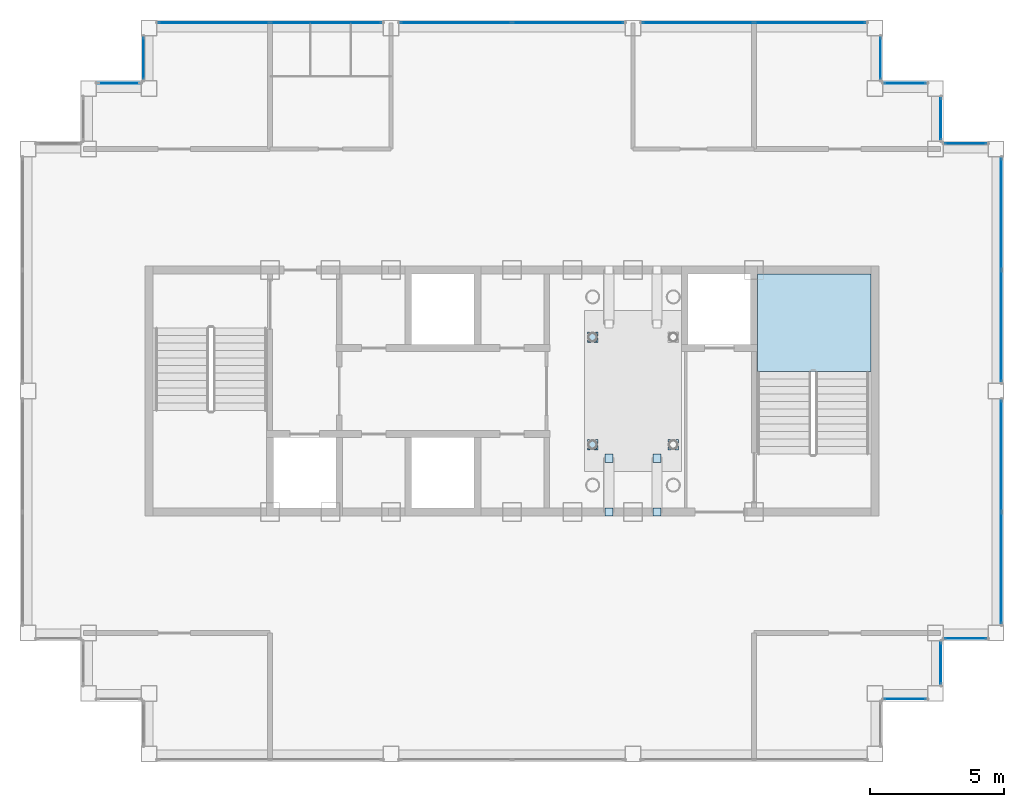
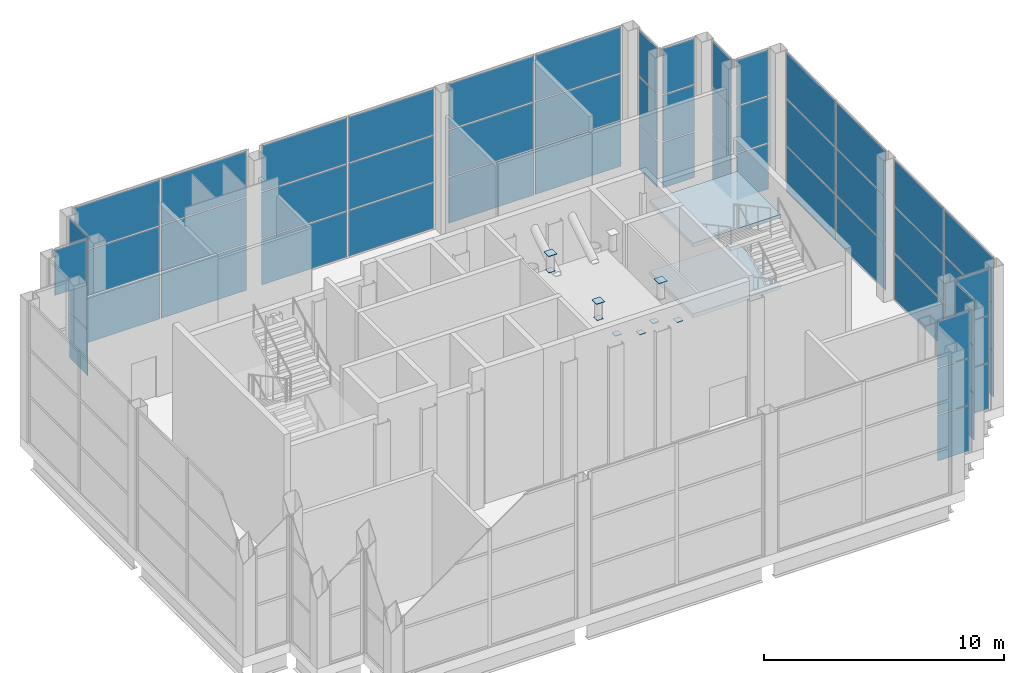
# One storey, part 8 of 15: 64 plates, 2 slabs, 15 elements without a shape of their own.
"""IFC4 building model written with IfcOpenShell, lengths in metres."""

from ifc_helpers import new_model, si_unit, direction, frame, origin, origin_2d, place, context, subcontext, project, spatial, polyline, rectangle, outline, extrude, material, layer, layer_set, type_object, element, aggregate, save


model = new_model("IFC4")

# Units and contexts
model_context = context("Model", 3, precision=1e-05, world=origin(), true_north=direction((0.0, 1.0)))
body_context = subcontext(model_context, "Body", "Model", "MODEL_VIEW")
ifc_project = project(units=[si_unit("LENGTHUNIT", "METRE"), si_unit("AREAUNIT", "SQUARE_METRE"), si_unit("VOLUMEUNIT", "CUBIC_METRE"), si_unit("PLANEANGLEUNIT", "RADIAN"), si_unit("MASSUNIT", "GRAM", prefix="KILO")], contexts=[model_context])

# Site, building, storey
site_placement = place(None, origin())
site = spatial("IfcSite", under=ifc_project, at=site_placement, CompositionType="ELEMENT")
building_placement = place(site_placement, origin())
building = spatial("IfcBuilding", under=site, at=building_placement, Name="Caravel Reach Hotel and Residences", CompositionType="ELEMENT")
storey_placement = place(building_placement, frame((0.0, 0.0, 305.60009765625)))
storey = spatial("IfcBuildingStorey", under=building, at=storey_placement, Name="L78", CompositionType="ELEMENT", Elevation=305.60009765625)

# Curtain wall, plates
ifc_material_1 = material(Name="Dark low-e glazing in black aluminium frame", Category="aluminium")
ifc_layer_1 = layer(ifc_material_1, 0.199951171875)
ifc_layer_set_1 = layer_set([ifc_layer_1], Name="CW3 Damper floor glass wall")
curtain_wall_type = type_object("IfcCurtainWallType", Name="CW3 Damper floor glass wall", PredefinedType="NOTDEFINED", material=ifc_layer_set_1)
curtain_wall_1_placement = place(storey_placement, origin())
curtain_wall_1 = element("IfcCurtainWall", 1, at=curtain_wall_1_placement, inside=storey, type_object=curtain_wall_type, Name="Damper floor glass wall b0", PredefinedType="NOTDEFINED")
ifc_material_2 = material(Name="Dark laminated low-e glass", Category="glass")
ifc_layer_2 = layer(ifc_material_2, 0.02392578125)
ifc_layer_set_2 = layer_set([ifc_layer_2], Name="CW glass panel 24")
plate_type_1 = type_object("IfcPlateType", Name="CW glass panel 24", PredefinedType="CURTAIN_PANEL", material=ifc_layer_set_2)
plate_1_placement = place(storey_placement, frame((46.125, 15.550048828125, 0.059814453125), z_axis=(0.0, 0.0, 1.0), x_axis=(1.0, 0.0, 0.0)))
plate_1 = element("IfcPlate", 2, at=plate_1_placement, type_object=plate_type_1, Name="CW3 panel 1.1", PredefinedType="CURTAIN_PANEL", context=body_context, shape_type="SweptSolid", body=[
    extrude(rectangle(XDim=1.530029296875, YDim=0.02392578125, at=origin_2d()), origin(), (0.0, 0.0, 1.0), 2.31005859375),
])
plate_2_placement = place(storey_placement, frame((46.125, 15.550048828125, 2.4296875), z_axis=(0.0, 0.0, 1.0), x_axis=(1.0, 0.0, 0.0)))
plate_2 = element("IfcPlate", 3, at=plate_2_placement, type_object=plate_type_1, Name="CW3 panel 1.2", PredefinedType="CURTAIN_PANEL", context=body_context, shape_type="SweptSolid", body=[
    extrude(rectangle(XDim=1.530029296875, YDim=0.02392578125, at=origin_2d()), origin(), (0.0, 0.0, 1.0), 2.340087890625),
])
plate_3_placement = place(storey_placement, frame((46.125, 15.550048828125, 4.829833984375), z_axis=(0.0, 0.0, 1.0), x_axis=(1.0, 0.0, 0.0)))
plate_3 = element("IfcPlate", 4, at=plate_3_placement, type_object=plate_type_1, Name="CW3 panel 1.3", PredefinedType="CURTAIN_PANEL", context=body_context, shape_type="SweptSolid", body=[
    extrude(rectangle(XDim=1.530029296875, YDim=0.02392578125, at=origin_2d()), origin(), (0.0, 0.0, 1.0), 2.31005859375),
])
aggregate(curtain_wall_1, [plate_1, plate_2, plate_3])

curtain_wall_2_placement = place(storey_placement, origin())
curtain_wall_2 = element("IfcCurtainWall", 5, at=curtain_wall_2_placement, inside=storey, type_object=curtain_wall_type, Name="Damper floor glass wall b0", PredefinedType="NOTDEFINED")
plate_4_placement = place(storey_placement, frame((47.449951171875, 16.875, 0.059814453125), z_axis=(0.0, 0.0, 1.0), x_axis=(0.0, 1.0, 0.0)))
plate_4 = element("IfcPlate", 6, at=plate_4_placement, type_object=plate_type_1, Name="CW3 panel 1.1", PredefinedType="CURTAIN_PANEL", context=body_context, shape_type="SweptSolid", body=[
    extrude(rectangle(XDim=1.530029296875, YDim=0.02392578125, at=origin_2d()), origin(), (0.0, 0.0, 1.0), 2.31005859375),
])
plate_5_placement = place(storey_placement, frame((47.449951171875, 16.875, 2.4296875), z_axis=(0.0, 0.0, 1.0), x_axis=(0.0, 1.0, 0.0)))
plate_5 = element("IfcPlate", 7, at=plate_5_placement, type_object=plate_type_1, Name="CW3 panel 1.2", PredefinedType="CURTAIN_PANEL", context=body_context, shape_type="SweptSolid", body=[
    extrude(rectangle(XDim=1.530029296875, YDim=0.02392578125, at=origin_2d()), origin(), (0.0, 0.0, 1.0), 2.340087890625),
])
plate_6_placement = place(storey_placement, frame((47.449951171875, 16.875, 4.829833984375), z_axis=(0.0, 0.0, 1.0), x_axis=(0.0, 1.0, 0.0)))
plate_6 = element("IfcPlate", 8, at=plate_6_placement, type_object=plate_type_1, Name="CW3 panel 1.3", PredefinedType="CURTAIN_PANEL", context=body_context, shape_type="SweptSolid", body=[
    extrude(rectangle(XDim=1.530029296875, YDim=0.02392578125, at=origin_2d()), origin(), (0.0, 0.0, 1.0), 2.31005859375),
])
aggregate(curtain_wall_2, [plate_4, plate_5, plate_6])

curtain_wall_3_placement = place(storey_placement, origin())
curtain_wall_3 = element("IfcCurtainWall", 9, at=curtain_wall_3_placement, inside=storey, type_object=curtain_wall_type, Name="Damper floor glass wall b0", PredefinedType="NOTDEFINED")
plate_7_placement = place(storey_placement, frame((48.375, 17.800048828125, 0.059814453125), z_axis=(0.0, 0.0, 1.0), x_axis=(1.0, 0.0, 0.0)))
plate_7 = element("IfcPlate", 10, at=plate_7_placement, type_object=plate_type_1, Name="CW3 panel 1.1", PredefinedType="CURTAIN_PANEL", context=body_context, shape_type="SweptSolid", body=[
    extrude(rectangle(XDim=1.530029296875, YDim=0.02392578125, at=origin_2d()), origin(), (0.0, 0.0, 1.0), 2.31005859375),
])
plate_8_placement = place(storey_placement, frame((48.375, 17.800048828125, 2.4296875), z_axis=(0.0, 0.0, 1.0), x_axis=(1.0, 0.0, 0.0)))
plate_8 = element("IfcPlate", 11, at=plate_8_placement, type_object=plate_type_1, Name="CW3 panel 1.2", PredefinedType="CURTAIN_PANEL", context=body_context, shape_type="SweptSolid", body=[
    extrude(rectangle(XDim=1.530029296875, YDim=0.02392578125, at=origin_2d()), origin(), (0.0, 0.0, 1.0), 2.340087890625),
])
plate_9_placement = place(storey_placement, frame((48.375, 17.800048828125, 4.829833984375), z_axis=(0.0, 0.0, 1.0), x_axis=(1.0, 0.0, 0.0)))
plate_9 = element("IfcPlate", 12, at=plate_9_placement, type_object=plate_type_1, Name="CW3 panel 1.3", PredefinedType="CURTAIN_PANEL", context=body_context, shape_type="SweptSolid", body=[
    extrude(rectangle(XDim=1.530029296875, YDim=0.02392578125, at=origin_2d()), origin(), (0.0, 0.0, 1.0), 2.31005859375),
])
aggregate(curtain_wall_3, [plate_7, plate_8, plate_9])

curtain_wall_4_placement = place(storey_placement, origin())
curtain_wall_4 = element("IfcCurtainWall", 13, at=curtain_wall_4_placement, inside=storey, type_object=curtain_wall_type, Name="Damper floor glass wall b0", PredefinedType="NOTDEFINED")
plate_10_placement = place(storey_placement, frame((49.699951171875, 20.4150390625, 0.059814453125), z_axis=(0.0, 0.0, 1.0), x_axis=(0.0, 1.0, 0.0)))
plate_10 = element("IfcPlate", 14, at=plate_10_placement, type_object=plate_type_1, Name="CW3 panel 1.1", PredefinedType="CURTAIN_PANEL", context=body_context, shape_type="SweptSolid", body=[
    extrude(rectangle(XDim=4.110107421875, YDim=0.02392578125, at=origin_2d()), origin(), (0.0, 0.0, 1.0), 2.31005859375),
])
plate_11_placement = place(storey_placement, frame((49.699951171875, 20.4150390625, 2.4296875), z_axis=(0.0, 0.0, 1.0), x_axis=(0.0, 1.0, 0.0)))
plate_11 = element("IfcPlate", 15, at=plate_11_placement, type_object=plate_type_1, Name="CW3 panel 1.2", PredefinedType="CURTAIN_PANEL", context=body_context, shape_type="SweptSolid", body=[
    extrude(rectangle(XDim=4.110107421875, YDim=0.02392578125, at=origin_2d()), origin(), (0.0, 0.0, 1.0), 2.340087890625),
])
plate_12_placement = place(storey_placement, frame((49.699951171875, 20.4150390625, 4.829833984375), z_axis=(0.0, 0.0, 1.0), x_axis=(0.0, 1.0, 0.0)))
plate_12 = element("IfcPlate", 16, at=plate_12_placement, type_object=plate_type_1, Name="CW3 panel 1.3", PredefinedType="CURTAIN_PANEL", context=body_context, shape_type="SweptSolid", body=[
    extrude(rectangle(XDim=4.110107421875, YDim=0.02392578125, at=origin_2d()), origin(), (0.0, 0.0, 1.0), 2.31005859375),
])
plate_13_placement = place(storey_placement, frame((49.699951171875, 24.5849609375, 0.059814453125), z_axis=(0.0, 0.0, 1.0), x_axis=(0.0, 1.0, 0.0)))
plate_13 = element("IfcPlate", 17, at=plate_13_placement, type_object=plate_type_1, Name="CW3 panel 2.1", PredefinedType="CURTAIN_PANEL", context=body_context, shape_type="SweptSolid", body=[
    extrude(rectangle(XDim=4.110107421875, YDim=0.02392578125, at=origin_2d()), origin(), (0.0, 0.0, 1.0), 2.31005859375),
])
plate_14_placement = place(storey_placement, frame((49.699951171875, 24.5849609375, 2.4296875), z_axis=(0.0, 0.0, 1.0), x_axis=(0.0, 1.0, 0.0)))
plate_14 = element("IfcPlate", 18, at=plate_14_placement, type_object=plate_type_1, Name="CW3 panel 2.2", PredefinedType="CURTAIN_PANEL", context=body_context, shape_type="SweptSolid", body=[
    extrude(rectangle(XDim=4.110107421875, YDim=0.02392578125, at=origin_2d()), origin(), (0.0, 0.0, 1.0), 2.340087890625),
])
plate_15_placement = place(storey_placement, frame((49.699951171875, 24.5849609375, 4.829833984375), z_axis=(0.0, 0.0, 1.0), x_axis=(0.0, 1.0, 0.0)))
plate_15 = element("IfcPlate", 19, at=plate_15_placement, type_object=plate_type_1, Name="CW3 panel 2.3", PredefinedType="CURTAIN_PANEL", context=body_context, shape_type="SweptSolid", body=[
    extrude(rectangle(XDim=4.110107421875, YDim=0.02392578125, at=origin_2d()), origin(), (0.0, 0.0, 1.0), 2.31005859375),
])
aggregate(curtain_wall_4, [plate_10, plate_11, plate_12, plate_13, plate_14, plate_15])

curtain_wall_5_placement = place(storey_placement, origin())
curtain_wall_5 = element("IfcCurtainWall", 20, at=curtain_wall_5_placement, inside=storey, type_object=curtain_wall_type, Name="Damper floor glass wall b1", PredefinedType="NOTDEFINED")
plate_16_placement = place(storey_placement, frame((49.699951171875, 29.4150390625, 0.059814453125), z_axis=(0.0, 0.0, 1.0), x_axis=(0.0, 1.0, 0.0)))
plate_16 = element("IfcPlate", 21, at=plate_16_placement, type_object=plate_type_1, Name="CW3 panel 1.1", PredefinedType="CURTAIN_PANEL", context=body_context, shape_type="SweptSolid", body=[
    extrude(rectangle(XDim=4.110107421875, YDim=0.02392578125, at=origin_2d()), origin(), (0.0, 0.0, 1.0), 2.31005859375),
])
plate_17_placement = place(storey_placement, frame((49.699951171875, 29.4150390625, 2.4296875), z_axis=(0.0, 0.0, 1.0), x_axis=(0.0, 1.0, 0.0)))
plate_17 = element("IfcPlate", 22, at=plate_17_placement, type_object=plate_type_1, Name="CW3 panel 1.2", PredefinedType="CURTAIN_PANEL", context=body_context, shape_type="SweptSolid", body=[
    extrude(rectangle(XDim=4.110107421875, YDim=0.02392578125, at=origin_2d()), origin(), (0.0, 0.0, 1.0), 2.340087890625),
])
plate_18_placement = place(storey_placement, frame((49.699951171875, 29.4150390625, 4.829833984375), z_axis=(0.0, 0.0, 1.0), x_axis=(0.0, 1.0, 0.0)))
plate_18 = element("IfcPlate", 23, at=plate_18_placement, type_object=plate_type_1, Name="CW3 panel 1.3", PredefinedType="CURTAIN_PANEL", context=body_context, shape_type="SweptSolid", body=[
    extrude(rectangle(XDim=4.110107421875, YDim=0.02392578125, at=origin_2d()), origin(), (0.0, 0.0, 1.0), 2.31005859375),
])
plate_19_placement = place(storey_placement, frame((49.699951171875, 33.5849609375, 0.059814453125), z_axis=(0.0, 0.0, 1.0), x_axis=(0.0, 1.0, 0.0)))
plate_19 = element("IfcPlate", 24, at=plate_19_placement, type_object=plate_type_1, Name="CW3 panel 2.1", PredefinedType="CURTAIN_PANEL", context=body_context, shape_type="SweptSolid", body=[
    extrude(rectangle(XDim=4.110107421875, YDim=0.02392578125, at=origin_2d()), origin(), (0.0, 0.0, 1.0), 2.31005859375),
])
plate_20_placement = place(storey_placement, frame((49.699951171875, 33.5849609375, 2.4296875), z_axis=(0.0, 0.0, 1.0), x_axis=(0.0, 1.0, 0.0)))
plate_20 = element("IfcPlate", 25, at=plate_20_placement, type_object=plate_type_1, Name="CW3 panel 2.2", PredefinedType="CURTAIN_PANEL", context=body_context, shape_type="SweptSolid", body=[
    extrude(rectangle(XDim=4.110107421875, YDim=0.02392578125, at=origin_2d()), origin(), (0.0, 0.0, 1.0), 2.340087890625),
])
plate_21_placement = place(storey_placement, frame((49.699951171875, 33.5849609375, 4.829833984375), z_axis=(0.0, 0.0, 1.0), x_axis=(0.0, 1.0, 0.0)))
plate_21 = element("IfcPlate", 26, at=plate_21_placement, type_object=plate_type_1, Name="CW3 panel 2.3", PredefinedType="CURTAIN_PANEL", context=body_context, shape_type="SweptSolid", body=[
    extrude(rectangle(XDim=4.110107421875, YDim=0.02392578125, at=origin_2d()), origin(), (0.0, 0.0, 1.0), 2.31005859375),
])
aggregate(curtain_wall_5, [plate_16, plate_17, plate_18, plate_19, plate_20, plate_21])

curtain_wall_6_placement = place(storey_placement, origin())
curtain_wall_6 = element("IfcCurtainWall", 27, at=curtain_wall_6_placement, inside=storey, type_object=curtain_wall_type, Name="Damper floor glass wall b0", PredefinedType="NOTDEFINED")
plate_22_placement = place(storey_placement, frame((48.375, 36.199951171875, 0.059814453125), z_axis=(0.0, 0.0, 1.0), x_axis=(-1.0, 0.0, 0.0)))
plate_22 = element("IfcPlate", 28, at=plate_22_placement, type_object=plate_type_1, Name="CW3 panel 1.1", PredefinedType="CURTAIN_PANEL", context=body_context, shape_type="SweptSolid", body=[
    extrude(rectangle(XDim=1.530029296875, YDim=0.02392578125, at=origin_2d()), origin(), (0.0, 0.0, 1.0), 2.31005859375),
])
plate_23_placement = place(storey_placement, frame((48.375, 36.199951171875, 2.4296875), z_axis=(0.0, 0.0, 1.0), x_axis=(-1.0, 0.0, 0.0)))
plate_23 = element("IfcPlate", 29, at=plate_23_placement, type_object=plate_type_1, Name="CW3 panel 1.2", PredefinedType="CURTAIN_PANEL", context=body_context, shape_type="SweptSolid", body=[
    extrude(rectangle(XDim=1.530029296875, YDim=0.02392578125, at=origin_2d()), origin(), (0.0, 0.0, 1.0), 2.340087890625),
])
plate_24_placement = place(storey_placement, frame((48.375, 36.199951171875, 4.829833984375), z_axis=(0.0, 0.0, 1.0), x_axis=(-1.0, 0.0, 0.0)))
plate_24 = element("IfcPlate", 30, at=plate_24_placement, type_object=plate_type_1, Name="CW3 panel 1.3", PredefinedType="CURTAIN_PANEL", context=body_context, shape_type="SweptSolid", body=[
    extrude(rectangle(XDim=1.530029296875, YDim=0.02392578125, at=origin_2d()), origin(), (0.0, 0.0, 1.0), 2.31005859375),
])
aggregate(curtain_wall_6, [plate_22, plate_23, plate_24])

curtain_wall_7_placement = place(storey_placement, origin())
curtain_wall_7 = element("IfcCurtainWall", 31, at=curtain_wall_7_placement, inside=storey, type_object=curtain_wall_type, Name="Damper floor glass wall b0", PredefinedType="NOTDEFINED")
plate_25_placement = place(storey_placement, frame((47.449951171875, 37.125, 0.059814453125), z_axis=(0.0, 0.0, 1.0), x_axis=(0.0, 1.0, 0.0)))
plate_25 = element("IfcPlate", 32, at=plate_25_placement, type_object=plate_type_1, Name="CW3 panel 1.1", PredefinedType="CURTAIN_PANEL", context=body_context, shape_type="SweptSolid", body=[
    extrude(rectangle(XDim=1.530029296875, YDim=0.02392578125, at=origin_2d()), origin(), (0.0, 0.0, 1.0), 2.31005859375),
])
plate_26_placement = place(storey_placement, frame((47.449951171875, 37.125, 2.4296875), z_axis=(0.0, 0.0, 1.0), x_axis=(0.0, 1.0, 0.0)))
plate_26 = element("IfcPlate", 33, at=plate_26_placement, type_object=plate_type_1, Name="CW3 panel 1.2", PredefinedType="CURTAIN_PANEL", context=body_context, shape_type="SweptSolid", body=[
    extrude(rectangle(XDim=1.530029296875, YDim=0.02392578125, at=origin_2d()), origin(), (0.0, 0.0, 1.0), 2.340087890625),
])
plate_27_placement = place(storey_placement, frame((47.449951171875, 37.125, 4.829833984375), z_axis=(0.0, 0.0, 1.0), x_axis=(0.0, 1.0, 0.0)))
plate_27 = element("IfcPlate", 34, at=plate_27_placement, type_object=plate_type_1, Name="CW3 panel 1.3", PredefinedType="CURTAIN_PANEL", context=body_context, shape_type="SweptSolid", body=[
    extrude(rectangle(XDim=1.530029296875, YDim=0.02392578125, at=origin_2d()), origin(), (0.0, 0.0, 1.0), 2.31005859375),
])
aggregate(curtain_wall_7, [plate_25, plate_26, plate_27])

curtain_wall_8_placement = place(storey_placement, origin())
curtain_wall_8 = element("IfcCurtainWall", 35, at=curtain_wall_8_placement, inside=storey, type_object=curtain_wall_type, Name="Damper floor glass wall b0", PredefinedType="NOTDEFINED")
plate_28_placement = place(storey_placement, frame((46.125, 38.449951171875, 0.059814453125), z_axis=(0.0, 0.0, 1.0), x_axis=(-1.0, 0.0, 0.0)))
plate_28 = element("IfcPlate", 36, at=plate_28_placement, type_object=plate_type_1, Name="CW3 panel 1.1", PredefinedType="CURTAIN_PANEL", context=body_context, shape_type="SweptSolid", body=[
    extrude(rectangle(XDim=1.530029296875, YDim=0.02392578125, at=origin_2d()), origin(), (0.0, 0.0, 1.0), 2.31005859375),
])
plate_29_placement = place(storey_placement, frame((46.125, 38.449951171875, 2.4296875), z_axis=(0.0, 0.0, 1.0), x_axis=(-1.0, 0.0, 0.0)))
plate_29 = element("IfcPlate", 37, at=plate_29_placement, type_object=plate_type_1, Name="CW3 panel 1.2", PredefinedType="CURTAIN_PANEL", context=body_context, shape_type="SweptSolid", body=[
    extrude(rectangle(XDim=1.530029296875, YDim=0.02392578125, at=origin_2d()), origin(), (0.0, 0.0, 1.0), 2.340087890625),
])
plate_30_placement = place(storey_placement, frame((46.125, 38.449951171875, 4.829833984375), z_axis=(0.0, 0.0, 1.0), x_axis=(-1.0, 0.0, 0.0)))
plate_30 = element("IfcPlate", 38, at=plate_30_placement, type_object=plate_type_1, Name="CW3 panel 1.3", PredefinedType="CURTAIN_PANEL", context=body_context, shape_type="SweptSolid", body=[
    extrude(rectangle(XDim=1.530029296875, YDim=0.02392578125, at=origin_2d()), origin(), (0.0, 0.0, 1.0), 2.31005859375),
])
aggregate(curtain_wall_8, [plate_28, plate_29, plate_30])

curtain_wall_9_placement = place(storey_placement, origin())
curtain_wall_9 = element("IfcCurtainWall", 39, at=curtain_wall_9_placement, inside=storey, type_object=curtain_wall_type, Name="Damper floor glass wall b0", PredefinedType="NOTDEFINED")
plate_31_placement = place(storey_placement, frame((45.199951171875, 39.375, 0.059814453125), z_axis=(0.0, 0.0, 1.0), x_axis=(0.0, 1.0, 0.0)))
plate_31 = element("IfcPlate", 40, at=plate_31_placement, type_object=plate_type_1, Name="CW3 panel 1.1", PredefinedType="CURTAIN_PANEL", context=body_context, shape_type="SweptSolid", body=[
    extrude(rectangle(XDim=1.530029296875, YDim=0.02392578125, at=origin_2d()), origin(), (0.0, 0.0, 1.0), 2.31005859375),
])
plate_32_placement = place(storey_placement, frame((45.199951171875, 39.375, 2.4296875), z_axis=(0.0, 0.0, 1.0), x_axis=(0.0, 1.0, 0.0)))
plate_32 = element("IfcPlate", 41, at=plate_32_placement, type_object=plate_type_1, Name="CW3 panel 1.2", PredefinedType="CURTAIN_PANEL", context=body_context, shape_type="SweptSolid", body=[
    extrude(rectangle(XDim=1.530029296875, YDim=0.02392578125, at=origin_2d()), origin(), (0.0, 0.0, 1.0), 2.340087890625),
])
plate_33_placement = place(storey_placement, frame((45.199951171875, 39.375, 4.829833984375), z_axis=(0.0, 0.0, 1.0), x_axis=(0.0, 1.0, 0.0)))
plate_33 = element("IfcPlate", 42, at=plate_33_placement, type_object=plate_type_1, Name="CW3 panel 1.3", PredefinedType="CURTAIN_PANEL", context=body_context, shape_type="SweptSolid", body=[
    extrude(rectangle(XDim=1.530029296875, YDim=0.02392578125, at=origin_2d()), origin(), (0.0, 0.0, 1.0), 2.31005859375),
])
aggregate(curtain_wall_9, [plate_31, plate_32, plate_33])

curtain_wall_10_placement = place(storey_placement, origin())
curtain_wall_10 = element("IfcCurtainWall", 43, at=curtain_wall_10_placement, inside=storey, type_object=curtain_wall_type, Name="Damper floor glass wall b0", PredefinedType="NOTDEFINED")
plate_34_placement = place(storey_placement, frame((42.5849609375, 40.699951171875, 0.059814453125), z_axis=(0.0, 0.0, 1.0), x_axis=(-1.0, 0.0, 0.0)))
plate_34 = element("IfcPlate", 44, at=plate_34_placement, type_object=plate_type_1, Name="CW3 panel 1.1", PredefinedType="CURTAIN_PANEL", context=body_context, shape_type="SweptSolid", body=[
    extrude(rectangle(XDim=4.110107421875, YDim=0.02392578125, at=origin_2d()), origin(), (0.0, 0.0, 1.0), 2.31005859375),
])
plate_35_placement = place(storey_placement, frame((42.5849609375, 40.699951171875, 2.4296875), z_axis=(0.0, 0.0, 1.0), x_axis=(-1.0, 0.0, 0.0)))
plate_35 = element("IfcPlate", 45, at=plate_35_placement, type_object=plate_type_1, Name="CW3 panel 1.2", PredefinedType="CURTAIN_PANEL", context=body_context, shape_type="SweptSolid", body=[
    extrude(rectangle(XDim=4.110107421875, YDim=0.02392578125, at=origin_2d()), origin(), (0.0, 0.0, 1.0), 2.340087890625),
])
plate_36_placement = place(storey_placement, frame((42.5849609375, 40.699951171875, 4.829833984375), z_axis=(0.0, 0.0, 1.0), x_axis=(-1.0, 0.0, 0.0)))
plate_36 = element("IfcPlate", 46, at=plate_36_placement, type_object=plate_type_1, Name="CW3 panel 1.3", PredefinedType="CURTAIN_PANEL", context=body_context, shape_type="SweptSolid", body=[
    extrude(rectangle(XDim=4.110107421875, YDim=0.02392578125, at=origin_2d()), origin(), (0.0, 0.0, 1.0), 2.31005859375),
])
plate_37_placement = place(storey_placement, frame((38.4150390625, 40.699951171875, 0.059814453125), z_axis=(0.0, 0.0, 1.0), x_axis=(-1.0, 0.0, 0.0)))
plate_37 = element("IfcPlate", 47, at=plate_37_placement, type_object=plate_type_1, Name="CW3 panel 2.1", PredefinedType="CURTAIN_PANEL", context=body_context, shape_type="SweptSolid", body=[
    extrude(rectangle(XDim=4.110107421875, YDim=0.02392578125, at=origin_2d()), origin(), (0.0, 0.0, 1.0), 2.31005859375),
])
plate_38_placement = place(storey_placement, frame((38.4150390625, 40.699951171875, 2.4296875), z_axis=(0.0, 0.0, 1.0), x_axis=(-1.0, 0.0, 0.0)))
plate_38 = element("IfcPlate", 48, at=plate_38_placement, type_object=plate_type_1, Name="CW3 panel 2.2", PredefinedType="CURTAIN_PANEL", context=body_context, shape_type="SweptSolid", body=[
    extrude(rectangle(XDim=4.110107421875, YDim=0.02392578125, at=origin_2d()), origin(), (0.0, 0.0, 1.0), 2.340087890625),
])
plate_39_placement = place(storey_placement, frame((38.4150390625, 40.699951171875, 4.829833984375), z_axis=(0.0, 0.0, 1.0), x_axis=(-1.0, 0.0, 0.0)))
plate_39 = element("IfcPlate", 49, at=plate_39_placement, type_object=plate_type_1, Name="CW3 panel 2.3", PredefinedType="CURTAIN_PANEL", context=body_context, shape_type="SweptSolid", body=[
    extrude(rectangle(XDim=4.110107421875, YDim=0.02392578125, at=origin_2d()), origin(), (0.0, 0.0, 1.0), 2.31005859375),
])
aggregate(curtain_wall_10, [plate_34, plate_35, plate_36, plate_37, plate_38, plate_39])

curtain_wall_11_placement = place(storey_placement, origin())
curtain_wall_11 = element("IfcCurtainWall", 50, at=curtain_wall_11_placement, inside=storey, type_object=curtain_wall_type, Name="Damper floor glass wall b1", PredefinedType="NOTDEFINED")
plate_40_placement = place(storey_placement, frame((33.5849609375, 40.699951171875, 0.059814453125), z_axis=(0.0, 0.0, 1.0), x_axis=(-1.0, 0.0, 0.0)))
plate_40 = element("IfcPlate", 51, at=plate_40_placement, type_object=plate_type_1, Name="CW3 panel 1.1", PredefinedType="CURTAIN_PANEL", context=body_context, shape_type="SweptSolid", body=[
    extrude(rectangle(XDim=4.110107421875, YDim=0.02392578125, at=origin_2d()), origin(), (0.0, 0.0, 1.0), 2.31005859375),
])
plate_41_placement = place(storey_placement, frame((33.5849609375, 40.699951171875, 2.4296875), z_axis=(0.0, 0.0, 1.0), x_axis=(-1.0, 0.0, 0.0)))
plate_41 = element("IfcPlate", 52, at=plate_41_placement, type_object=plate_type_1, Name="CW3 panel 1.2", PredefinedType="CURTAIN_PANEL", context=body_context, shape_type="SweptSolid", body=[
    extrude(rectangle(XDim=4.110107421875, YDim=0.02392578125, at=origin_2d()), origin(), (0.0, 0.0, 1.0), 2.340087890625),
])
plate_42_placement = place(storey_placement, frame((33.5849609375, 40.699951171875, 4.829833984375), z_axis=(0.0, 0.0, 1.0), x_axis=(-1.0, 0.0, 0.0)))
plate_42 = element("IfcPlate", 53, at=plate_42_placement, type_object=plate_type_1, Name="CW3 panel 1.3", PredefinedType="CURTAIN_PANEL", context=body_context, shape_type="SweptSolid", body=[
    extrude(rectangle(XDim=4.110107421875, YDim=0.02392578125, at=origin_2d()), origin(), (0.0, 0.0, 1.0), 2.31005859375),
])
plate_43_placement = place(storey_placement, frame((29.4150390625, 40.699951171875, 0.059814453125), z_axis=(0.0, 0.0, 1.0), x_axis=(-1.0, 0.0, 0.0)))
plate_43 = element("IfcPlate", 54, at=plate_43_placement, type_object=plate_type_1, Name="CW3 panel 2.1", PredefinedType="CURTAIN_PANEL", context=body_context, shape_type="SweptSolid", body=[
    extrude(rectangle(XDim=4.110107421875, YDim=0.02392578125, at=origin_2d()), origin(), (0.0, 0.0, 1.0), 2.31005859375),
])
plate_44_placement = place(storey_placement, frame((29.4150390625, 40.699951171875, 2.4296875), z_axis=(0.0, 0.0, 1.0), x_axis=(-1.0, 0.0, 0.0)))
plate_44 = element("IfcPlate", 55, at=plate_44_placement, type_object=plate_type_1, Name="CW3 panel 2.2", PredefinedType="CURTAIN_PANEL", context=body_context, shape_type="SweptSolid", body=[
    extrude(rectangle(XDim=4.110107421875, YDim=0.02392578125, at=origin_2d()), origin(), (0.0, 0.0, 1.0), 2.340087890625),
])
plate_45_placement = place(storey_placement, frame((29.4150390625, 40.699951171875, 4.829833984375), z_axis=(0.0, 0.0, 1.0), x_axis=(-1.0, 0.0, 0.0)))
plate_45 = element("IfcPlate", 56, at=plate_45_placement, type_object=plate_type_1, Name="CW3 panel 2.3", PredefinedType="CURTAIN_PANEL", context=body_context, shape_type="SweptSolid", body=[
    extrude(rectangle(XDim=4.110107421875, YDim=0.02392578125, at=origin_2d()), origin(), (0.0, 0.0, 1.0), 2.31005859375),
])
aggregate(curtain_wall_11, [plate_40, plate_41, plate_42, plate_43, plate_44, plate_45])

curtain_wall_12_placement = place(storey_placement, origin())
curtain_wall_12 = element("IfcCurtainWall", 57, at=curtain_wall_12_placement, inside=storey, type_object=curtain_wall_type, Name="Damper floor glass wall b2", PredefinedType="NOTDEFINED")
plate_46_placement = place(storey_placement, frame((24.5849609375, 40.699951171875, 0.059814453125), z_axis=(0.0, 0.0, 1.0), x_axis=(-1.0, 0.0, 0.0)))
plate_46 = element("IfcPlate", 58, at=plate_46_placement, type_object=plate_type_1, Name="CW3 panel 1.1", PredefinedType="CURTAIN_PANEL", context=body_context, shape_type="SweptSolid", body=[
    extrude(rectangle(XDim=4.110107421875, YDim=0.02392578125, at=origin_2d()), origin(), (0.0, 0.0, 1.0), 2.31005859375),
])
plate_47_placement = place(storey_placement, frame((24.5849609375, 40.699951171875, 2.4296875), z_axis=(0.0, 0.0, 1.0), x_axis=(-1.0, 0.0, 0.0)))
plate_47 = element("IfcPlate", 59, at=plate_47_placement, type_object=plate_type_1, Name="CW3 panel 1.2", PredefinedType="CURTAIN_PANEL", context=body_context, shape_type="SweptSolid", body=[
    extrude(rectangle(XDim=4.110107421875, YDim=0.02392578125, at=origin_2d()), origin(), (0.0, 0.0, 1.0), 2.340087890625),
])
plate_48_placement = place(storey_placement, frame((24.5849609375, 40.699951171875, 4.829833984375), z_axis=(0.0, 0.0, 1.0), x_axis=(-1.0, 0.0, 0.0)))
plate_48 = element("IfcPlate", 60, at=plate_48_placement, type_object=plate_type_1, Name="CW3 panel 1.3", PredefinedType="CURTAIN_PANEL", context=body_context, shape_type="SweptSolid", body=[
    extrude(rectangle(XDim=4.110107421875, YDim=0.02392578125, at=origin_2d()), origin(), (0.0, 0.0, 1.0), 2.31005859375),
])
plate_49_placement = place(storey_placement, frame((20.4150390625, 40.699951171875, 0.059814453125), z_axis=(0.0, 0.0, 1.0), x_axis=(-1.0, 0.0, 0.0)))
plate_49 = element("IfcPlate", 61, at=plate_49_placement, type_object=plate_type_1, Name="CW3 panel 2.1", PredefinedType="CURTAIN_PANEL", context=body_context, shape_type="SweptSolid", body=[
    extrude(rectangle(XDim=4.110107421875, YDim=0.02392578125, at=origin_2d()), origin(), (0.0, 0.0, 1.0), 2.31005859375),
])
plate_50_placement = place(storey_placement, frame((20.4150390625, 40.699951171875, 2.4296875), z_axis=(0.0, 0.0, 1.0), x_axis=(-1.0, 0.0, 0.0)))
plate_50 = element("IfcPlate", 62, at=plate_50_placement, type_object=plate_type_1, Name="CW3 panel 2.2", PredefinedType="CURTAIN_PANEL", context=body_context, shape_type="SweptSolid", body=[
    extrude(rectangle(XDim=4.110107421875, YDim=0.02392578125, at=origin_2d()), origin(), (0.0, 0.0, 1.0), 2.340087890625),
])
plate_51_placement = place(storey_placement, frame((20.4150390625, 40.699951171875, 4.829833984375), z_axis=(0.0, 0.0, 1.0), x_axis=(-1.0, 0.0, 0.0)))
plate_51 = element("IfcPlate", 63, at=plate_51_placement, type_object=plate_type_1, Name="CW3 panel 2.3", PredefinedType="CURTAIN_PANEL", context=body_context, shape_type="SweptSolid", body=[
    extrude(rectangle(XDim=4.110107421875, YDim=0.02392578125, at=origin_2d()), origin(), (0.0, 0.0, 1.0), 2.31005859375),
])
aggregate(curtain_wall_12, [plate_46, plate_47, plate_48, plate_49, plate_50, plate_51])

curtain_wall_13_placement = place(storey_placement, origin())
curtain_wall_13 = element("IfcCurtainWall", 64, at=curtain_wall_13_placement, inside=storey, type_object=curtain_wall_type, Name="Damper floor glass wall b0", PredefinedType="NOTDEFINED")
plate_52_placement = place(storey_placement, frame((17.800048828125, 39.375, 0.059814453125), z_axis=(0.0, 0.0, 1.0), x_axis=(0.0, -1.0, 0.0)))
plate_52 = element("IfcPlate", 65, at=plate_52_placement, type_object=plate_type_1, Name="CW3 panel 1.1", PredefinedType="CURTAIN_PANEL", context=body_context, shape_type="SweptSolid", body=[
    extrude(rectangle(XDim=1.530029296875, YDim=0.02392578125, at=origin_2d()), origin(), (0.0, 0.0, 1.0), 2.31005859375),
])
plate_53_placement = place(storey_placement, frame((17.800048828125, 39.375, 2.4296875), z_axis=(0.0, 0.0, 1.0), x_axis=(0.0, -1.0, 0.0)))
plate_53 = element("IfcPlate", 66, at=plate_53_placement, type_object=plate_type_1, Name="CW3 panel 1.2", PredefinedType="CURTAIN_PANEL", context=body_context, shape_type="SweptSolid", body=[
    extrude(rectangle(XDim=1.530029296875, YDim=0.02392578125, at=origin_2d()), origin(), (0.0, 0.0, 1.0), 2.340087890625),
])
plate_54_placement = place(storey_placement, frame((17.800048828125, 39.375, 4.829833984375), z_axis=(0.0, 0.0, 1.0), x_axis=(0.0, -1.0, 0.0)))
plate_54 = element("IfcPlate", 67, at=plate_54_placement, type_object=plate_type_1, Name="CW3 panel 1.3", PredefinedType="CURTAIN_PANEL", context=body_context, shape_type="SweptSolid", body=[
    extrude(rectangle(XDim=1.530029296875, YDim=0.02392578125, at=origin_2d()), origin(), (0.0, 0.0, 1.0), 2.31005859375),
])
aggregate(curtain_wall_13, [plate_52, plate_53, plate_54])

# Curtain wall, plate
curtain_wall_14_placement = place(storey_placement, origin())
curtain_wall_14 = element("IfcCurtainWall", 68, at=curtain_wall_14_placement, inside=storey, type_object=curtain_wall_type, Name="Damper floor glass wall b0", PredefinedType="NOTDEFINED")
plate_55_placement = place(storey_placement, frame((16.875, 38.449951171875, 4.829833984375), z_axis=(0.0, 0.0, 1.0), x_axis=(-1.0, 0.0, 0.0)))
plate_55 = element("IfcPlate", 69, at=plate_55_placement, type_object=plate_type_1, Name="CW3 panel 1.3", PredefinedType="CURTAIN_PANEL", context=body_context, shape_type="SweptSolid", body=[
    extrude(rectangle(XDim=1.530029296875, YDim=0.02392578125, at=origin_2d()), origin(), (0.0, 0.0, 1.0), 2.31005859375),
])
aggregate(curtain_wall_14, [plate_55])

# Stair, slabs
ifc_material_3 = material(Name="Concrete C40", Category="concrete")
stair_type = type_object("IfcStairType", Name="Core stair", PredefinedType="HALF_TURN_STAIR", material=ifc_material_3)
stair_placement = place(storey_placement, origin())
stair = element("IfcStair", 70, at=stair_placement, inside=storey, type_object=stair_type, Name="L78 Exit stair B", PredefinedType="HALF_TURN_STAIR")
ifc_material_4 = material(Name="Concrete C40", Category="concrete")
ifc_layer_3 = layer(ifc_material_4, 0.199951171875)
ifc_layer_set_3 = layer_set([ifc_layer_3], Name="Core stair landing")
slab_type = type_object("IfcSlabType", Name="Core stair landing", PredefinedType="LANDING", material=ifc_layer_set_3)
slab_1_placement = place(storey_placement, frame((0.0, 0.0, 1.599853515625)))
slab_1 = element("IfcSlab", 71, at=slab_1_placement, type_object=slab_type, Name="ST-B landing 1", PredefinedType="LANDING", context=body_context, shape_type="SweptSolid", body=[
    extrude(outline(polyline([(44.85009765625, 27.72998046875), (44.85009765625, 31.35009765625), (40.625, 31.35009765625), (40.625, 27.72998046875), (44.85009765625, 27.72998046875)])), origin(), (0.0, 0.0, 1.0), 0.199951171875),
])
slab_2_placement = place(storey_placement, frame((0.0, 0.0, 5.199951171875)))
slab_2 = element("IfcSlab", 72, at=slab_2_placement, type_object=slab_type, Name="ST-B landing 3", PredefinedType="LANDING", context=body_context, shape_type="SweptSolid", body=[
    extrude(outline(polyline([(44.85009765625, 27.72998046875), (44.85009765625, 31.35009765625), (40.625, 31.35009765625), (40.625, 27.72998046875), (44.85009765625, 27.72998046875)])), origin(), (0.0, 0.0, 1.0), 0.199951171875),
])
aggregate(stair, [slab_1, slab_2])

# Plates
ifc_material_5 = material(Name="Structural steel Q355B", Category="steel")
ifc_layer_4 = layer(ifc_material_5, 0.02490234375)
ifc_layer_set_4 = layer_set([ifc_layer_4], Name="Damper end plate 25")
plate_type_2 = type_object("IfcPlateType", Name="Damper end plate 25", PredefinedType="SHEET", material=ifc_layer_set_4)
plate_56_placement = place(storey_placement, frame((34.5, 25.0, 6.27490234375), z_axis=(0.0, 0.0, 1.0), x_axis=(1.0, 0.0, 0.0)))
element("IfcPlate", 73, at=plate_56_placement, inside=storey, type_object=plate_type_2, Name="Tuned mass damper TMD1 end plate", PredefinedType="SHEET", context=body_context, shape_type="SweptSolid", body=[
    extrude(rectangle(XDim=0.39990234375, YDim=0.39990234375, at=origin_2d()), origin(), (0.0, 0.0, 1.0), 0.02490234375),
])
plate_57_placement = place(storey_placement, frame((34.5, 25.0, 5.39990234375), z_axis=(0.0, 0.0, 1.0), x_axis=(1.0, 0.0, 0.0)))
element("IfcPlate", 74, at=plate_57_placement, inside=storey, type_object=plate_type_2, Name="Tuned mass damper TMD1 end plate", PredefinedType="SHEET", context=body_context, shape_type="SweptSolid", body=[
    extrude(rectangle(XDim=0.300048828125, YDim=0.300048828125, at=origin_2d()), origin(), (0.0, 0.0, 1.0), 0.02490234375),
])
plate_58_placement = place(storey_placement, frame((34.5, 29.0, 6.27490234375), z_axis=(0.0, 0.0, 1.0), x_axis=(1.0, 0.0, 0.0)))
element("IfcPlate", 75, at=plate_58_placement, inside=storey, type_object=plate_type_2, Name="Tuned mass damper TMD1 end plate", PredefinedType="SHEET", context=body_context, shape_type="SweptSolid", body=[
    extrude(rectangle(XDim=0.39990234375, YDim=0.39990234375, at=origin_2d()), origin(), (0.0, 0.0, 1.0), 0.02490234375),
])
plate_59_placement = place(storey_placement, frame((34.5, 29.0, 5.39990234375), z_axis=(0.0, 0.0, 1.0), x_axis=(1.0, 0.0, 0.0)))
element("IfcPlate", 76, at=plate_59_placement, inside=storey, type_object=plate_type_2, Name="Tuned mass damper TMD1 end plate", PredefinedType="SHEET", context=body_context, shape_type="SweptSolid", body=[
    extrude(rectangle(XDim=0.300048828125, YDim=0.300048828125, at=origin_2d()), origin(), (0.0, 0.0, 1.0), 0.02490234375),
])
plate_60_placement = place(storey_placement, frame((37.5, 25.0, 6.27490234375), z_axis=(0.0, 0.0, 1.0), x_axis=(1.0, 0.0, 0.0)))
element("IfcPlate", 77, at=plate_60_placement, inside=storey, type_object=plate_type_2, Name="Tuned mass damper TMD1 end plate", PredefinedType="SHEET", context=body_context, shape_type="SweptSolid", body=[
    extrude(rectangle(XDim=0.39990234375, YDim=0.39990234375, at=origin_2d()), origin(), (0.0, 0.0, 1.0), 0.02490234375),
])
for number, where, z_axis, x_axis, name in (
    (78, (35.10009765625, 22.5, 5.974853515625), (0.0, 0.0, 1.0), (1.0, 0.0, 0.0), "Tuned mass damper TMD1 end plate"),
    (79, (35.10009765625, 24.5, 4.699951171875), (0.0, 0.0, 1.0), (1.0, 0.0, 0.0), "Tuned mass damper TMD1 end plate"),
    (80, (36.89990234375, 22.5, 5.974853515625), (0.0, 0.0, 1.0), (1.0, 0.0, 0.0), "Tuned mass damper TMD1 end plate"),
    (81, (36.89990234375, 24.5, 4.699951171875), (0.0, 0.0, 1.0), (1.0, 0.0, 0.0), "Tuned mass damper TMD1 end plate"),
):
    element("IfcPlate", number, at=place(storey_placement, frame(where, z_axis=z_axis, x_axis=x_axis)), inside=storey, type_object=plate_type_2, Name=name, PredefinedType="SHEET", context=body_context, shape_type="SweptSolid", body=[
        extrude(rectangle(XDim=0.300048828125, YDim=0.300048828125, at=origin_2d()), origin(), (0.0, 0.0, 1.0), 0.02490234375),
    ])

save(model, "model.ifc")
